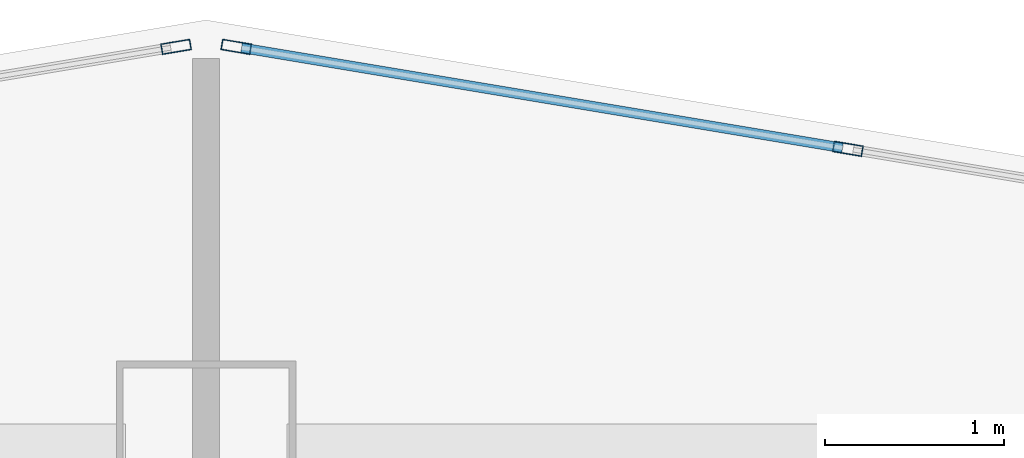
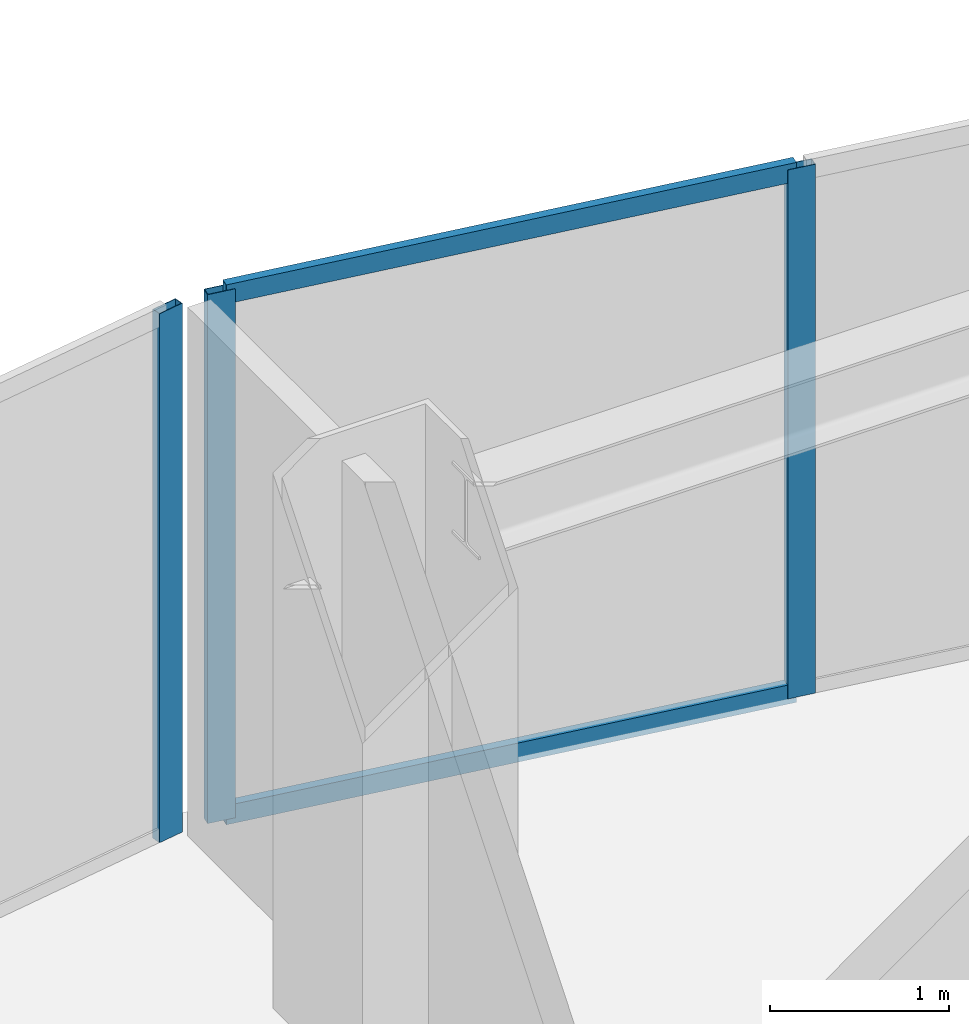
# One storey, part 4 of 17: 5 members, 2 elements without a shape of their own.
"""IFC4 building model written with IfcOpenShell, lengths in metres."""

from ifc_helpers import new_model, si_unit, direction, frame, origin, origin_2d, place, context, subcontext, project, spatial, hollow_rectangle, extrude, material, layer, layer_set, material_profile, profile_set, type_object, element, aggregate, save


model = new_model("IFC4")

# Units and contexts
model_context = context("Model", 3, precision=1e-05, world=origin(), true_north=direction((0.0, 1.0)))
body_context = subcontext(model_context, "Body", "Model", "MODEL_VIEW")
ifc_project = project(units=[si_unit("LENGTHUNIT", "METRE"), si_unit("AREAUNIT", "SQUARE_METRE"), si_unit("VOLUMEUNIT", "CUBIC_METRE"), si_unit("PLANEANGLEUNIT", "RADIAN"), si_unit("MASSUNIT", "GRAM", prefix="KILO")], contexts=[model_context])

# Site, building, storey
site_placement = place(None, origin())
site = spatial("IfcSite", under=ifc_project, at=site_placement, CompositionType="ELEMENT")
building_placement = place(site_placement, origin())
building = spatial("IfcBuilding", under=site, at=building_placement, Name="Haolan Belvedere Tower", CompositionType="ELEMENT")
storey_placement = place(building_placement, frame((0.0, 0.0, 35.39990234375)))
storey = spatial("IfcBuildingStorey", under=building, at=storey_placement, Name="L08", CompositionType="ELEMENT", Elevation=35.39990234375)

# Curtain wall, members
ifc_material_1 = material(Name="Anodised champagne-silver aluminium 6063-T6 and Low-E glass", Category="aluminium")
ifc_layer = layer(ifc_material_1, 0.1650390625, Name="Anodised champagne-silver aluminium 6063-T6 and Low-E glass")
ifc_layer_set = layer_set([ifc_layer], Name="Anodised champagne-silver aluminium 6063-T6 and Low-E glass")
curtain_wall_type = type_object("IfcCurtainWallType", Name="CW-SYS-02", PredefinedType="NOTDEFINED", material=ifc_layer_set)
curtain_wall_1_placement = place(storey_placement, origin())
curtain_wall_1 = element("IfcCurtainWall", 1, at=curtain_wall_1_placement, inside=storey, type_object=curtain_wall_type, Name="L08 CW-SYS-02 ribbon curtain wall 42.1", PredefinedType="NOTDEFINED")
ifc_material_2 = material(Name="Anodised aluminium 6063-T6", Category="aluminium")
ifc_material_profile_1 = material_profile(ifc_material_2, hollow_rectangle(XDim=0.06005859375, YDim=0.1650390625, WallThickness=0.00390625, at=origin_2d()), Name="Anodised aluminium 6063-T6")
ifc_profile_set_1 = profile_set([ifc_material_profile_1], Name="Anodised aluminium 6063-T6")
member_type_1 = type_object("IfcMemberType", Name="CW-SYS-02-MUL", PredefinedType="MULLION", material=ifc_profile_set_1)
member_1_placement = place(storey_placement, frame((41.9755859375, 52.082275390625, 0.0), z_axis=(0.0, 0.0, 1.0), x_axis=(-0.16440364043, -0.9863931483, 0.0)))
member_1 = element("IfcMember", 2, at=member_1_placement, type_object=member_type_1, Name="CW-02 mullion 2", PredefinedType="MULLION", context=body_context, shape_type="SweptSolid", body=[
    extrude(hollow_rectangle(XDim=0.06005859375, YDim=0.1650390625, WallThickness=0.00390625, at=origin_2d()), origin(), (0.0, 0.0, 1.0), 3.60009765625),
])
member_2_placement = place(storey_placement, frame((38.567626953125, 52.650390625, 0.0), z_axis=(0.0, 0.0, 1.0), x_axis=(-0.16440364043, -0.9863931483, 0.0)))
member_2 = element("IfcMember", 3, at=member_2_placement, type_object=member_type_1, Name="CW-02 mullion 3", PredefinedType="MULLION", context=body_context, shape_type="SweptSolid", body=[
    extrude(hollow_rectangle(XDim=0.06005859375, YDim=0.1650390625, WallThickness=0.00390625, at=origin_2d()), origin(), (0.0, 0.0, 1.0), 3.60009765625),
])

# Curtain wall, member
curtain_wall_2_placement = place(storey_placement, origin())
curtain_wall_2 = element("IfcCurtainWall", 4, at=curtain_wall_2_placement, inside=storey, type_object=curtain_wall_type, Name="L08 CW-SYS-02 ribbon curtain wall 43.1", PredefinedType="NOTDEFINED")
member_3_placement = place(storey_placement, frame((38.232421875, 52.650390625, 0.0), z_axis=(0.0, 0.0, 1.0), x_axis=(0.16440364043, -0.9863931483, 0.0)))
member_3 = element("IfcMember", 5, at=member_3_placement, type_object=member_type_1, Name="CW-02 mullion 1", PredefinedType="MULLION", context=body_context, shape_type="SweptSolid", body=[
    extrude(hollow_rectangle(XDim=0.06005859375, YDim=0.1650390625, WallThickness=0.00390625, at=origin_2d()), origin(), (0.0, 0.0, 1.0), 3.60009765625),
])
aggregate(curtain_wall_2, [member_3])

# Member
ifc_material_profile_2 = material_profile(ifc_material_2, hollow_rectangle(XDim=0.054931640625, YDim=0.1298828125, WallThickness=0.00390625, at=origin_2d()), Name="Anodised aluminium 6063-T6")
ifc_profile_set_2 = profile_set([ifc_material_profile_2], Name="Anodised aluminium 6063-T6")
member_type_2 = type_object("IfcMemberType", Name="CW-SYS-02-TRN", PredefinedType="USERDEFINED", material=ifc_profile_set_2)
member_4_placement = place(storey_placement, frame((41.946044921875, 52.08740234375, 0.027587890625), z_axis=(-0.986395867289, 0.164387326137, 0.0), x_axis=(-0.164387326137, -0.986395867289, 0.0)))
member_4 = element("IfcMember", 6, at=member_4_placement, type_object=member_type_2, Name="CW-02 transom 2.1", ObjectType="TRANSOM", PredefinedType="USERDEFINED", context=body_context, shape_type="SweptSolid", body=[
    extrude(hollow_rectangle(XDim=0.054931640625, YDim=0.1298828125, WallThickness=0.00390625, at=origin_2d()), origin(), (0.0, 0.0, 1.0), 3.39501953125),
])

member_5_placement = place(storey_placement, frame((41.946044921875, 52.08740234375, 3.572509765625), z_axis=(-0.986395867289, 0.164387326137, 0.0), x_axis=(-0.164387326137, -0.986395867289, 0.0)))
member_5 = element("IfcMember", 7, at=member_5_placement, type_object=member_type_2, Name="CW-02 transom 2.2", ObjectType="TRANSOM", PredefinedType="USERDEFINED", context=body_context, shape_type="SweptSolid", body=[
    extrude(hollow_rectangle(XDim=0.054931640625, YDim=0.1298828125, WallThickness=0.00390625, at=origin_2d()), origin(), (0.0, 0.0, 1.0), 3.39501953125),
])

aggregate(curtain_wall_1, [member_1, member_2, member_4, member_5])

save(model, "model.ifc")
